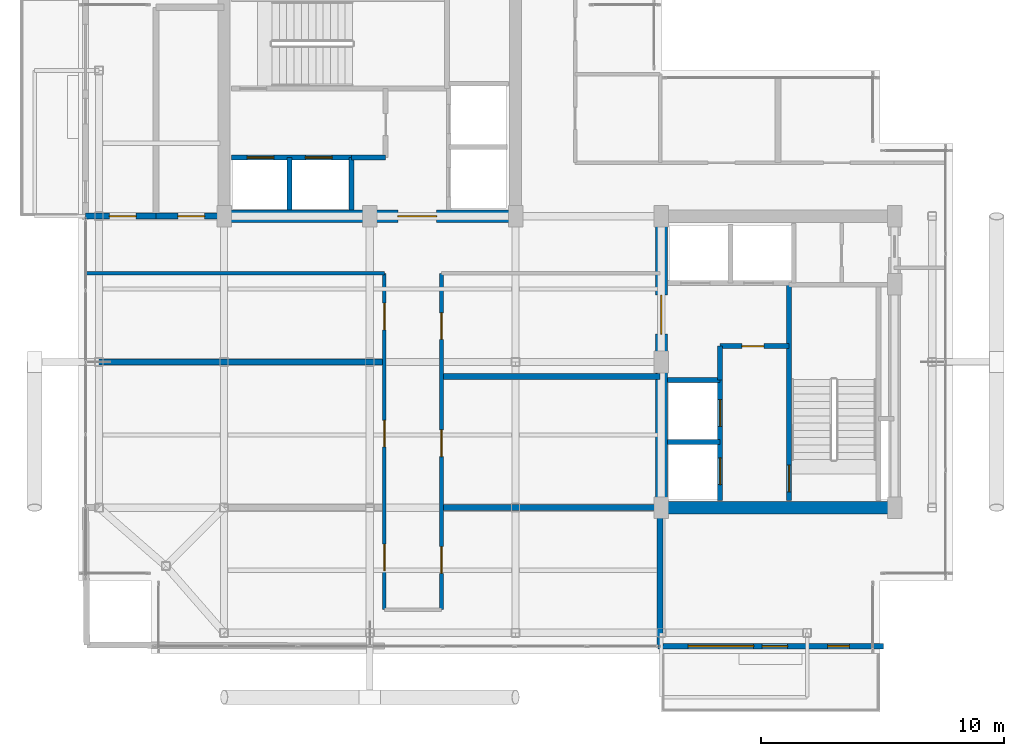
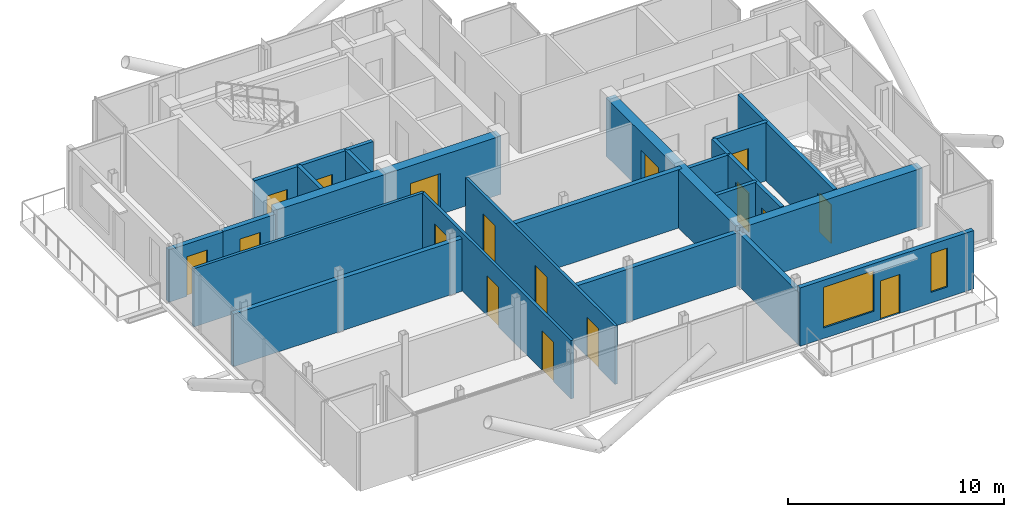
# One storey, part 14 of 18: 23 walls, 17 doors, 2 windows, 19 openings.
"""IFC4 building model written with IfcOpenShell, lengths in metres."""

from ifc_helpers import new_model, si_unit, direction, frame, frame_2d, origin, place, context, subcontext, project, spatial, rectangle, extrude, material, layer, layer_set, type_object, element, fill, save


model = new_model("IFC4")

# Units and contexts
model_context = context("Model", 3, precision=1e-05, world=origin(), true_north=direction((0.0, 1.0)))
body_context = subcontext(model_context, "Body", "Model", "MODEL_VIEW")
ifc_project = project(units=[si_unit("LENGTHUNIT", "METRE"), si_unit("AREAUNIT", "SQUARE_METRE"), si_unit("VOLUMEUNIT", "CUBIC_METRE"), si_unit("PLANEANGLEUNIT", "RADIAN"), si_unit("MASSUNIT", "GRAM", prefix="KILO"), si_unit("THERMODYNAMICTEMPERATUREUNIT", "KELVIN"), si_unit("POWERUNIT", "WATT")], contexts=[model_context])

# Site, building, storey
site_placement = place(None, origin())
site = spatial("IfcSite", under=ifc_project, at=site_placement, CompositionType="ELEMENT")
building_placement = place(site_placement, origin())
building = spatial("IfcBuilding", under=site, at=building_placement, Name="Svarakhadi Broadcast Tower", CompositionType="ELEMENT")
storey_placement = place(building_placement, frame((0.0, 0.0, 288.699951171875)))
storey = spatial("IfcBuildingStorey", under=building, at=storey_placement, Name="L73", CompositionType="ELEMENT", Elevation=288.699951171875)

# Walls
ifc_material_1 = material(Name="Double-Stud Acoustic Studio Partition STC-62", Category="gypsum")
ifc_layer_1 = layer(ifc_material_1, 0.25)
ifc_layer_set_1 = layer_set([ifc_layer_1], Name="Double-Stud Acoustic Studio Partition STC-62")
wall_type_1 = type_object("IfcWallType", Name="Wall_Acoust_250", PredefinedType="PARTITIONING", material=ifc_layer_set_1)
wall_1_placement = place(storey_placement, frame((0.300048828125, 12.0, 0.0), z_axis=(0.0, 0.0, 1.0), x_axis=(1.0, 0.0, 0.0)))
element("IfcWall", 1, at=wall_1_placement, inside=storey, type_object=wall_type_1, Name="L73 International Counsel Office Wall", PredefinedType="PARTITIONING", context=body_context, shape_type="SweptSolid", body=[
    extrude(rectangle(XDim=12.300048828125, YDim=0.25, at=frame_2d((6.14990234375, 0.0))), origin(), (0.0, 0.0, 1.0), 2.967041015625),
])
wall_2_placement = place(storey_placement, frame((14.949951171875, 6.0, 0.0), z_axis=(0.0, 0.0, 1.0), x_axis=(1.0, 0.0, 0.0)))
element("IfcWall", 2, at=wall_2_placement, inside=storey, type_object=wall_type_1, Name="L73 Summit State Banquet Dining Hall Wall", PredefinedType="PARTITIONING", context=body_context, shape_type="SweptSolid", body=[
    extrude(rectangle(XDim=9.0, YDim=0.25, at=frame_2d((4.5, 0.0))), origin(), (0.0, 0.0, 1.0), 2.991943359375),
])
wall_3_placement = place(storey_placement, frame((23.949951171875, 0.300048828125, 0.0), z_axis=(0.0, 0.0, 1.0), x_axis=(0.0, 1.0, 0.0)))
element("IfcWall", 3, at=wall_3_placement, inside=storey, type_object=wall_type_1, Name="L73 Summit State Banquet Dining Hall Wall", PredefinedType="PARTITIONING", context=body_context, shape_type="SweptSolid", body=[
    extrude(rectangle(XDim=5.699951171875, YDim=0.25, at=frame_2d((2.85009765625, 0.0))), origin(), (0.0, 0.0, 1.0), 2.991943359375),
])
wall_4_placement = place(storey_placement, frame((14.949951171875, 11.39990234375, 0.0), z_axis=(0.0, 0.0, 1.0), x_axis=(1.0, 0.0, 0.0)))
element("IfcWall", 4, at=wall_4_placement, inside=storey, type_object=wall_type_1, Name="L73 Summit Culinary Preparation Kitchen Wall", PredefinedType="PARTITIONING", context=body_context, shape_type="SweptSolid", body=[
    extrude(rectangle(XDim=9.0, YDim=0.25, at=frame_2d((4.5, 0.0))), origin(), (0.0, 0.0, 1.0), 3.300048828125),
])

# Wall, opening, door
wall_5_placement = place(storey_placement, frame((0.300048828125, 18.0, 0.0), z_axis=(0.0, 0.0, 1.0), x_axis=(1.0, 0.0, 0.0)))
wall_5 = element("IfcWall", 5, at=wall_5_placement, inside=storey, type_object=wall_type_1, Name="L73 State Reception Salon Wall", PredefinedType="PARTITIONING", context=body_context, shape_type="SweptSolid", body=[
    extrude(rectangle(XDim=2.89990234375, YDim=0.25, at=frame_2d((1.449951171875, 0.0))), origin(), (0.0, 0.0, 1.0), 2.967041015625),
])
opening_1_placement = place(wall_5_placement, frame((0.97509765625, 0.0, 0.0)))
opening_1 = element("IfcOpeningElement", 6, at=opening_1_placement, cuts=wall_5, Name="Opening D-11", PredefinedType="OPENING", context=body_context, shape_type="SweptSolid", body=[
    extrude(rectangle(XDim=1.10009765625, YDim=2.25, at=frame_2d((0.550048828125, 1.125))), frame((0.0, 0.135009765625, 0.0), z_axis=(0.0, -1.0, 0.0), x_axis=(1.0, 0.0, 0.0)), (0.0, 0.0, 1.0), 0.27001953125),
])
ifc_material_2 = material(Name="Solid-Core Teak Veneer Acoustic Timber Leaf", Category="wood")
door_type_1 = type_object("IfcDoorType", Name="Door_Acoust_D11", OperationType="SINGLE_SWING_RIGHT", PredefinedType="DOOR", material=ifc_material_2)
door_1_placement = place(opening_1_placement, origin())
door_1 = element("IfcDoor", 7, at=door_1_placement, inside=storey, type_object=door_type_1, Name="L73 State Reception Salon Door", OperationType="SINGLE_SWING_RIGHT", OverallHeight=2.25, OverallWidth=1.10009765625, PredefinedType="DOOR", context=body_context, shape_type="SweptSolid", body=[
    extrude(rectangle(XDim=1.10009765625, YDim=2.25, at=frame_2d((0.550048828125, 1.125))), frame((0.0, 0.02490234375, 0.0), z_axis=(0.0, -1.0, 0.0), x_axis=(1.0, 0.0, 0.0)), (0.0, 0.0, 1.0), 0.050048828125),
])
fill(opening_1, door_1)

wall_6_placement = place(storey_placement, frame((3.199951171875, 18.0, 0.0), z_axis=(0.0, 0.0, 1.0), x_axis=(1.0, 0.0, 0.0)))
wall_6 = element("IfcWall", 8, at=wall_6_placement, inside=storey, type_object=wall_type_1, Name="L73 Protocol Registry Office Wall", PredefinedType="PARTITIONING", context=body_context, shape_type="SweptSolid", body=[
    extrude(rectangle(XDim=2.800048828125, YDim=0.25, at=frame_2d((1.39990234375, 0.0))), origin(), (0.0, 0.0, 1.0), 2.991943359375),
])
opening_2_placement = place(wall_6_placement, frame((0.89990234375, 0.0, 0.0)))
opening_2 = element("IfcOpeningElement", 9, at=opening_2_placement, cuts=wall_6, Name="Opening D-10", PredefinedType="OPENING", context=body_context, shape_type="SweptSolid", body=[
    extrude(rectangle(XDim=1.10009765625, YDim=2.25, at=frame_2d((0.550048828125, 1.125))), frame((0.0, 0.135009765625, 0.0), z_axis=(0.0, -1.0, 0.0), x_axis=(1.0, 0.0, 0.0)), (0.0, 0.0, 1.0), 0.27001953125),
])
door_type_2 = type_object("IfcDoorType", Name="Door_Acoust_D10", OperationType="SINGLE_SWING_LEFT", PredefinedType="DOOR", material=ifc_material_2)
door_2_placement = place(opening_2_placement, origin())
door_2 = element("IfcDoor", 10, at=door_2_placement, inside=storey, type_object=door_type_2, Name="L73 Protocol Registry Office Door", OperationType="SINGLE_SWING_LEFT", OverallHeight=2.25, OverallWidth=1.10009765625, PredefinedType="DOOR", context=body_context, shape_type="SweptSolid", body=[
    extrude(rectangle(XDim=1.10009765625, YDim=2.25, at=frame_2d((0.550048828125, 1.125))), frame((0.0, 0.02490234375, 0.0), z_axis=(0.0, -1.0, 0.0), x_axis=(1.0, 0.0, 0.0)), (0.0, 0.0, 1.0), 0.050048828125),
])
fill(opening_2, door_2)

# Wall, openings, door, windows
ifc_material_3 = material(Name="Concrete C40/50 (IS 456 M50)", Category="concrete")
ifc_layer_2 = layer(ifc_material_3, 0.239990234375)
ifc_layer_set_2 = layer_set([ifc_layer_2], Name="Concrete C40/50 (IS 456 M50)")
wall_type_2 = type_object("IfcWallType", Name="Wall_Ext_240", PredefinedType="SOLIDWALL", material=ifc_layer_set_2)
wall_7_placement = place(storey_placement, frame((33.14501953125, 0.300048828125, 0.0), z_axis=(0.0, 0.0, 1.0), x_axis=(-1.0, 0.0, 0.0)))
wall_7 = element("IfcWall", 11, at=wall_7_placement, inside=storey, type_object=wall_type_2, Name="L73 South Tree Balcony Spandrel Wall", PredefinedType="SOLIDWALL", context=body_context, shape_type="SweptSolid", body=[
    extrude(rectangle(XDim=9.2900390625, YDim=0.239990234375, at=frame_2d((4.64501953125, 0.0))), origin(), (0.0, 0.0, 1.0), 3.300048828125),
])
opening_3_placement = place(wall_7_placement, frame((3.945068359375, 0.0, 0.0)))
opening_3 = element("IfcOpeningElement", 12, at=opening_3_placement, cuts=wall_7, Name="Opening ED-05", PredefinedType="OPENING", context=body_context, shape_type="SweptSolid", body=[
    extrude(rectangle(XDim=1.050048828125, YDim=2.199951171875, at=frame_2d((0.52490234375, 1.10009765625))), frame((0.0, 0.1298828125, 0.0), z_axis=(0.0, -1.0, 0.0), x_axis=(1.0, 0.0, 0.0)), (0.0, 0.0, 1.0), 0.260009765625),
])
opening_4_placement = place(wall_7_placement, frame((5.344970703125, 0.0, 0.60009765625)))
opening_4 = element("IfcOpeningElement", 13, at=opening_4_placement, cuts=wall_7, Name="Opening WN-07", PredefinedType="OPENING", context=body_context, shape_type="SweptSolid", body=[
    extrude(rectangle(XDim=2.699951171875, YDim=2.300048828125, at=frame_2d((1.35009765625, 1.14990234375))), frame((0.0, 0.1298828125, 0.0), z_axis=(0.0, -1.0, 0.0), x_axis=(1.0, 0.0, 0.0)), (0.0, 0.0, 1.0), 0.260009765625),
])
opening_5_placement = place(wall_7_placement, frame((1.39990234375, 0.0, 0.60009765625)))
opening_5 = element("IfcOpeningElement", 14, at=opening_5_placement, cuts=wall_7, Name="Opening WN-04", PredefinedType="OPENING", context=body_context, shape_type="SweptSolid", body=[
    extrude(rectangle(XDim=0.89990234375, YDim=2.199951171875, at=frame_2d((0.449951171875, 1.10009765625))), frame((0.0, 0.1298828125, 0.0), z_axis=(0.0, -1.0, 0.0), x_axis=(1.0, 0.0, 0.0)), (0.0, 0.0, 1.0), 0.260009765625),
])
ifc_material_4 = material(Name="Anodised Bronze Aluminium AA 6063-T6", Category="aluminium")
door_type_3 = type_object("IfcDoorType", Name="Door_Ext_ED05", OperationType="SINGLE_SWING_LEFT", PredefinedType="DOOR", material=ifc_material_4)
door_3_placement = place(opening_3_placement, origin())
door_3 = element("IfcDoor", 15, at=door_3_placement, inside=storey, type_object=door_type_3, Name="L73 South Tree Balcony Door", OperationType="SINGLE_SWING_LEFT", OverallHeight=2.199951171875, OverallWidth=1.050048828125, PredefinedType="DOOR", context=body_context, shape_type="SweptSolid", body=[
    extrude(rectangle(XDim=1.050048828125, YDim=2.199951171875, at=frame_2d((0.52490234375, 1.10009765625))), frame((0.0, 0.02490234375, 0.0), z_axis=(0.0, -1.0, 0.0), x_axis=(1.0, 0.0, 0.0)), (0.0, 0.0, 1.0), 0.050048828125),
])
fill(opening_3, door_3)
ifc_material_5 = material(Name="Double Low-E Laminated Acoustic Glass IGU 36 mm", Category="glass")
window_type_1 = type_object("IfcWindowType", Name="Win_Resi_WN07", PartitioningType="SINGLE_PANEL", PredefinedType="WINDOW", material=ifc_material_5)
window_1_placement = place(opening_4_placement, origin())
window_1 = element("IfcWindow", 16, at=window_1_placement, inside=storey, type_object=window_type_1, Name="L73 South Tree Balcony Window", OverallHeight=2.300048828125, OverallWidth=2.699951171875, PartitioningType="SINGLE_PANEL", PredefinedType="WINDOW", context=body_context, shape_type="SweptSolid", body=[
    extrude(rectangle(XDim=2.699951171875, YDim=2.300048828125, at=frame_2d((1.35009765625, 1.14990234375))), frame((0.0, 0.030029296875, 0.0), z_axis=(0.0, -1.0, 0.0), x_axis=(1.0, 0.0, 0.0)), (0.0, 0.0, 1.0), 0.06005859375),
])
fill(opening_4, window_1)
window_type_2 = type_object("IfcWindowType", Name="Win_Slot_WN04", PartitioningType="SINGLE_PANEL", PredefinedType="WINDOW", material=ifc_material_5)
window_2_placement = place(opening_5_placement, origin())
window_2 = element("IfcWindow", 17, at=window_2_placement, inside=storey, type_object=window_type_2, Name="L73 South Primary Bedroom Slot Window", OverallHeight=2.199951171875, OverallWidth=0.89990234375, PartitioningType="SINGLE_PANEL", PredefinedType="WINDOW", context=body_context, shape_type="SweptSolid", body=[
    extrude(rectangle(XDim=0.89990234375, YDim=2.199951171875, at=frame_2d((0.449951171875, 1.10009765625))), frame((0.0, 0.030029296875, 0.0), z_axis=(0.0, -1.0, 0.0), x_axis=(1.0, 0.0, 0.0)), (0.0, 0.0, 1.0), 0.06005859375),
])
fill(opening_5, window_2)

# Wall, openings, doors
ifc_material_6 = material(Name="Autoclaved Aerated Concrete Blockwork 150 mm", Category="masonry")
ifc_layer_3 = layer(ifc_material_6, 0.14990234375)
ifc_layer_set_3 = layer_set([ifc_layer_3], Name="Autoclaved Aerated Concrete Blockwork 150 mm")
wall_type_3 = type_object("IfcWallType", Name="Wall_Part_150", PredefinedType="PARTITIONING", material=ifc_layer_set_3)
wall_8_placement = place(storey_placement, frame((12.60009765625, 1.800048828125, 0.0), z_axis=(0.0, 0.0, 1.0), x_axis=(0.0, 1.0, 0.0)))
wall_8 = element("IfcWall", 18, at=wall_8_placement, inside=storey, type_object=wall_type_3, Name="L73 Upper Tower Concourse Wall", PredefinedType="PARTITIONING", context=body_context, shape_type="SweptSolid", body=[
    extrude(rectangle(XDim=13.849853515625, YDim=0.14990234375, at=frame_2d((6.9248046875, 0.0))), origin(), (0.0, 0.0, 1.0), 3.300048828125),
])
opening_6_placement = place(wall_8_placement, frame((1.60009765625, 0.0, 0.0)))
opening_6 = element("IfcOpeningElement", 19, at=opening_6_placement, cuts=wall_8, Name="Opening D-10", PredefinedType="OPENING", context=body_context, shape_type="SweptSolid", body=[
    extrude(rectangle(XDim=1.10009765625, YDim=2.25, at=frame_2d((0.550048828125, 1.125))), frame((0.0, 0.0849609375, 0.0), z_axis=(0.0, -1.0, 0.0), x_axis=(1.0, 0.0, 0.0)), (0.0, 0.0, 1.0), 0.169921875),
])
opening_7_placement = place(wall_8_placement, frame((6.699951171875, 0.0, 0.0)))
opening_7 = element("IfcOpeningElement", 20, at=opening_7_placement, cuts=wall_8, Name="Opening D-11", PredefinedType="OPENING", context=body_context, shape_type="SweptSolid", body=[
    extrude(rectangle(XDim=1.10009765625, YDim=2.25, at=frame_2d((0.550048828125, 1.125))), frame((0.0, 0.0849609375, 0.0), z_axis=(0.0, -1.0, 0.0), x_axis=(1.0, 0.0, 0.0)), (0.0, 0.0, 1.0), 0.169921875),
])
opening_8_placement = place(wall_8_placement, frame((11.52490234375, 0.0, 0.0)))
opening_8 = element("IfcOpeningElement", 21, at=opening_8_placement, cuts=wall_8, Name="Opening D-11", PredefinedType="OPENING", context=body_context, shape_type="SweptSolid", body=[
    extrude(rectangle(XDim=1.10009765625, YDim=2.25, at=frame_2d((0.550048828125, 1.125))), frame((0.0, 0.0849609375, 0.0), z_axis=(0.0, -1.0, 0.0), x_axis=(1.0, 0.0, 0.0)), (0.0, 0.0, 1.0), 0.169921875),
])
door_4_placement = place(opening_6_placement, origin())
door_4 = element("IfcDoor", 22, at=door_4_placement, inside=storey, type_object=door_type_2, Name="L73 Chairman Diplomatic Chambers Door", OperationType="SINGLE_SWING_LEFT", OverallHeight=2.25, OverallWidth=1.10009765625, PredefinedType="DOOR", context=body_context, shape_type="SweptSolid", body=[
    extrude(rectangle(XDim=1.10009765625, YDim=2.25, at=frame_2d((0.550048828125, 1.125))), frame((0.0, 0.02490234375, 0.0), z_axis=(0.0, -1.0, 0.0), x_axis=(1.0, 0.0, 0.0)), (0.0, 0.0, 1.0), 0.050048828125),
])
fill(opening_6, door_4)
door_5_placement = place(opening_7_placement, origin())
door_5 = element("IfcDoor", 23, at=door_5_placement, inside=storey, type_object=door_type_1, Name="L73 International Counsel Office Door", OperationType="SINGLE_SWING_RIGHT", OverallHeight=2.25, OverallWidth=1.10009765625, PredefinedType="DOOR", context=body_context, shape_type="SweptSolid", body=[
    extrude(rectangle(XDim=1.10009765625, YDim=2.25, at=frame_2d((0.550048828125, 1.125))), frame((0.0, 0.02490234375, 0.0), z_axis=(0.0, -1.0, 0.0), x_axis=(1.0, 0.0, 0.0)), (0.0, 0.0, 1.0), 0.050048828125),
])
fill(opening_7, door_5)
door_6_placement = place(opening_8_placement, origin())
door_6 = element("IfcDoor", 24, at=door_6_placement, inside=storey, type_object=door_type_1, Name="L73 Protocol Secretariat Office Door", OperationType="SINGLE_SWING_RIGHT", OverallHeight=2.25, OverallWidth=1.10009765625, PredefinedType="DOOR", context=body_context, shape_type="SweptSolid", body=[
    extrude(rectangle(XDim=1.10009765625, YDim=2.25, at=frame_2d((0.550048828125, 1.125))), frame((0.0, 0.02490234375, 0.0), z_axis=(0.0, -1.0, 0.0), x_axis=(1.0, 0.0, 0.0)), (0.0, 0.0, 1.0), 0.050048828125),
])
fill(opening_8, door_6)

# Wall
wall_9_placement = place(storey_placement, frame((12.60009765625, 15.64990234375, 0.0), z_axis=(0.0, 0.0, 1.0), x_axis=(-1.0, 0.0, 0.0)))
element("IfcWall", 25, at=wall_9_placement, inside=storey, type_object=wall_type_3, Name="L73 Upper Tower Concourse Wall", PredefinedType="PARTITIONING", context=body_context, shape_type="SweptSolid", body=[
    extrude(rectangle(XDim=12.300048828125, YDim=0.14990234375, at=frame_2d((6.14990234375, 0.0))), origin(), (0.0, 0.0, 1.0), 3.300048828125),
])

# Wall, openings, doors
wall_10_placement = place(storey_placement, frame((14.949951171875, 15.64990234375, 0.0), z_axis=(0.0, 0.0, 1.0), x_axis=(0.0, -1.0, 0.0)))
wall_10 = element("IfcWall", 26, at=wall_10_placement, inside=storey, type_object=wall_type_3, Name="L73 Upper Tower Concourse Wall", PredefinedType="PARTITIONING", context=body_context, shape_type="SweptSolid", body=[
    extrude(rectangle(XDim=13.849853515625, YDim=0.14990234375, at=frame_2d((6.9248046875, 0.0))), origin(), (0.0, 0.0, 1.0), 3.300048828125),
])
opening_9_placement = place(wall_10_placement, frame((11.25, 0.0, 0.0)))
opening_9 = element("IfcOpeningElement", 27, at=opening_9_placement, cuts=wall_10, Name="Opening D-11", PredefinedType="OPENING", context=body_context, shape_type="SweptSolid", body=[
    extrude(rectangle(XDim=1.10009765625, YDim=2.25, at=frame_2d((0.550048828125, 1.125))), frame((0.0, 0.0849609375, 0.0), z_axis=(0.0, -1.0, 0.0), x_axis=(1.0, 0.0, 0.0)), (0.0, 0.0, 1.0), 0.169921875),
])
opening_10_placement = place(wall_10_placement, frame((6.449951171875, 0.0, 0.0)))
opening_10 = element("IfcOpeningElement", 28, at=opening_10_placement, cuts=wall_10, Name="Opening D-10", PredefinedType="OPENING", context=body_context, shape_type="SweptSolid", body=[
    extrude(rectangle(XDim=1.10009765625, YDim=2.25, at=frame_2d((0.550048828125, 1.125))), frame((0.0, 0.0849609375, 0.0), z_axis=(0.0, -1.0, 0.0), x_axis=(1.0, 0.0, 0.0)), (0.0, 0.0, 1.0), 0.169921875),
])
opening_11_placement = place(wall_10_placement, frame((1.625, 0.0, 0.0)))
opening_11 = element("IfcOpeningElement", 29, at=opening_11_placement, cuts=wall_10, Name="Opening D-11", PredefinedType="OPENING", context=body_context, shape_type="SweptSolid", body=[
    extrude(rectangle(XDim=1.10009765625, YDim=2.25, at=frame_2d((0.550048828125, 1.125))), frame((0.0, 0.0849609375, 0.0), z_axis=(0.0, -1.0, 0.0), x_axis=(1.0, 0.0, 0.0)), (0.0, 0.0, 1.0), 0.169921875),
])
door_7_placement = place(opening_10_placement, origin())
door_7 = element("IfcDoor", 30, at=door_7_placement, inside=storey, type_object=door_type_2, Name="L73 Summit Culinary Preparation Kitchen Door", OperationType="SINGLE_SWING_LEFT", OverallHeight=2.25, OverallWidth=1.10009765625, PredefinedType="DOOR", context=body_context, shape_type="SweptSolid", body=[
    extrude(rectangle(XDim=1.10009765625, YDim=2.25, at=frame_2d((0.550048828125, 1.125))), frame((0.0, 0.02490234375, 0.0), z_axis=(0.0, -1.0, 0.0), x_axis=(1.0, 0.0, 0.0)), (0.0, 0.0, 1.0), 0.050048828125),
])
fill(opening_10, door_7)
door_8_placement = place(opening_9_placement, origin())
door_8 = element("IfcDoor", 31, at=door_8_placement, inside=storey, type_object=door_type_1, Name="L73 Summit State Banquet Dining Hall Door", OperationType="SINGLE_SWING_RIGHT", OverallHeight=2.25, OverallWidth=1.10009765625, PredefinedType="DOOR", context=body_context, shape_type="SweptSolid", body=[
    extrude(rectangle(XDim=1.10009765625, YDim=2.25, at=frame_2d((0.550048828125, 1.125))), frame((0.0, 0.02490234375, 0.0), z_axis=(0.0, -1.0, 0.0), x_axis=(1.0, 0.0, 0.0)), (0.0, 0.0, 1.0), 0.050048828125),
])
fill(opening_9, door_8)
door_9_placement = place(opening_11_placement, origin())
door_9 = element("IfcDoor", 32, at=door_9_placement, inside=storey, type_object=door_type_1, Name="L73 Sommelier Cold Pantry Door", OperationType="SINGLE_SWING_RIGHT", OverallHeight=2.25, OverallWidth=1.10009765625, PredefinedType="DOOR", context=body_context, shape_type="SweptSolid", body=[
    extrude(rectangle(XDim=1.10009765625, YDim=2.25, at=frame_2d((0.550048828125, 1.125))), frame((0.0, 0.02490234375, 0.0), z_axis=(0.0, -1.0, 0.0), x_axis=(1.0, 0.0, 0.0)), (0.0, 0.0, 1.0), 0.050048828125),
])
fill(opening_11, door_9)

# Wall, opening, door
ifc_material_7 = material(Name="Concrete C50/60 (IS 456 M60)", Category="concrete")
ifc_layer_4 = layer(ifc_material_7, 0.199951171875)
ifc_layer_set_4 = layer_set([ifc_layer_4], Name="Concrete C50/60 (IS 456 M60)")
wall_type_4 = type_object("IfcWallType", Name="Wall_Shear_200", PredefinedType="SHEAR", material=ifc_layer_set_4)
wall_11_placement = place(storey_placement, frame((29.260009765625, 6.300048828125, 0.0), z_axis=(0.0, 0.0, 1.0), x_axis=(0.0, 1.0, 0.0)))
wall_11 = element("IfcWall", 33, at=wall_11_placement, inside=storey, type_object=wall_type_4, Name="L73 Stair ST-02 West RC Shaft Wall", PredefinedType="SHEAR", context=body_context, shape_type="SweptSolid", body=[
    extrude(rectangle(XDim=8.8798828125, YDim=0.199951171875, at=frame_2d((4.43994140625, 0.0))), origin(), (0.0, 0.0, 1.0), 3.300048828125),
])
opening_12_placement = place(wall_11_placement, frame((0.35009765625, 0.0, 0.0)))
opening_12 = element("IfcOpeningElement", 34, at=opening_12_placement, cuts=wall_11, Name="Opening D-02", PredefinedType="OPENING", context=body_context, shape_type="SweptSolid", body=[
    extrude(rectangle(XDim=1.10009765625, YDim=2.199951171875, at=frame_2d((0.550048828125, 1.10009765625))), frame((0.0, 0.10986328125, 0.0), z_axis=(0.0, -1.0, 0.0), x_axis=(1.0, 0.0, 0.0)), (0.0, 0.0, 1.0), 0.219970703125),
])
ifc_material_8 = material(Name="Galvanised Powder-Coated Fire-Rated Steel Leaf", Category="steel")
door_type_4 = type_object("IfcDoorType", Name="Door_Stair_D02", OperationType="SINGLE_SWING_RIGHT", PredefinedType="DOOR", material=ifc_material_8)
door_10_placement = place(opening_12_placement, origin())
door_10 = element("IfcDoor", 35, at=door_10_placement, inside=storey, type_object=door_type_4, Name="L73 Protected Exit Stair ST-02 Fire Door", OperationType="SINGLE_SWING_RIGHT", OverallHeight=2.199951171875, OverallWidth=1.10009765625, PredefinedType="DOOR", context=body_context, shape_type="SweptSolid", body=[
    extrude(rectangle(XDim=1.10009765625, YDim=2.199951171875, at=frame_2d((0.550048828125, 1.10009765625))), frame((0.0, 0.02490234375, 0.0), z_axis=(0.0, -1.0, 0.0), x_axis=(1.0, 0.0, 0.0)), (0.0, 0.0, 1.0), 0.050048828125),
])
fill(opening_12, door_10)

# Wall, openings, doors
wall_12_placement = place(storey_placement, frame((6.300048828125, 20.419921875, 0.0), z_axis=(0.0, 0.0, 1.0), x_axis=(1.0, 0.0, 0.0)))
wall_12 = element("IfcWall", 36, at=wall_12_placement, inside=storey, type_object=wall_type_4, Name="L73 Firefighting Lift LF-01/02 Shaft Wall", PredefinedType="SHEAR", context=body_context, shape_type="SweptSolid", body=[
    extrude(rectangle(XDim=4.949951171875, YDim=0.199951171875, at=frame_2d((2.47509765625, 0.0))), origin(), (0.0, 0.0, 1.0), 3.300048828125),
])
opening_13_placement = place(wall_12_placement, frame((0.64990234375, 0.0, 0.0)))
opening_13 = element("IfcOpeningElement", 37, at=opening_13_placement, cuts=wall_12, Name="Opening LD-01", PredefinedType="OPENING", context=body_context, shape_type="SweptSolid", body=[
    extrude(rectangle(XDim=1.10009765625, YDim=2.199951171875, at=frame_2d((0.550048828125, 1.10009765625))), frame((0.0, 0.10986328125, 0.0), z_axis=(0.0, -1.0, 0.0), x_axis=(1.0, 0.0, 0.0)), (0.0, 0.0, 1.0), 0.219970703125),
])
opening_14_placement = place(wall_12_placement, frame((3.050048828125, 0.0, 0.0)))
opening_14 = element("IfcOpeningElement", 38, at=opening_14_placement, cuts=wall_12, Name="Opening LD-01", PredefinedType="OPENING", context=body_context, shape_type="SweptSolid", body=[
    extrude(rectangle(XDim=1.10009765625, YDim=2.199951171875, at=frame_2d((0.550048828125, 1.10009765625))), frame((0.0, 0.10986328125, 0.0), z_axis=(0.0, -1.0, 0.0), x_axis=(1.0, 0.0, 0.0)), (0.0, 0.0, 1.0), 0.219970703125),
])
door_type_5 = type_object("IfcDoorType", Name="Door_Lift_LD01", OperationType="SLIDING_TO_LEFT", PredefinedType="DOOR", material=ifc_material_8)
door_11_placement = place(opening_13_placement, origin())
door_11 = element("IfcDoor", 39, at=door_11_placement, inside=storey, type_object=door_type_5, Name="L73 Firefighting Lift LF-01 Landing Door", OperationType="SLIDING_TO_LEFT", OverallHeight=2.199951171875, OverallWidth=1.10009765625, PredefinedType="DOOR", context=body_context, shape_type="SweptSolid", body=[
    extrude(rectangle(XDim=1.10009765625, YDim=2.199951171875, at=frame_2d((0.550048828125, 1.10009765625))), frame((0.0, 0.02490234375, 0.0), z_axis=(0.0, -1.0, 0.0), x_axis=(1.0, 0.0, 0.0)), (0.0, 0.0, 1.0), 0.050048828125),
])
fill(opening_13, door_11)
door_12_placement = place(opening_14_placement, origin())
door_12 = element("IfcDoor", 40, at=door_12_placement, inside=storey, type_object=door_type_5, Name="L73 Firefighting Lift LF-02 Landing Door", OperationType="SLIDING_TO_LEFT", OverallHeight=2.199951171875, OverallWidth=1.10009765625, PredefinedType="DOOR", context=body_context, shape_type="SweptSolid", body=[
    extrude(rectangle(XDim=1.10009765625, YDim=2.199951171875, at=frame_2d((0.550048828125, 1.10009765625))), frame((0.0, 0.02490234375, 0.0), z_axis=(0.0, -1.0, 0.0), x_axis=(1.0, 0.0, 0.0)), (0.0, 0.0, 1.0), 0.050048828125),
])
fill(opening_14, door_12)

# Walls
for number, where, z_axis, x_axis, name in (
    (41, (8.699951171875, 18.25, 0.0), (0.0, 0.0, 1.0), (0.0, 1.0, 0.0), "L73 Firefighting Lift LF-01/02 Divider Wall"),
    (42, (11.25, 18.25, 0.0), (0.0, 0.0, 1.0), (0.0, 1.0, 0.0), "L73 Firefighting Lift LF-02 East Wall"),
):
    element("IfcWall", number, at=place(storey_placement, frame(where, z_axis=z_axis, x_axis=x_axis)), inside=storey, type_object=wall_type_4, Name=name, PredefinedType="SHEAR", context=body_context, shape_type="SweptSolid", body=[
        extrude(rectangle(XDim=2.169921875, YDim=0.199951171875, at=frame_2d((1.0849609375, 0.0))), origin(), (0.0, 0.0, 1.0), 3.300048828125),
    ])
wall_13_placement = place(storey_placement, frame((11.25, 20.419921875, 0.0), z_axis=(0.0, 0.0, 1.0), x_axis=(1.0, 0.0, 0.0)))
element("IfcWall", 43, at=wall_13_placement, inside=storey, type_object=wall_type_4, Name="L73 West Firefighting Lobby South Wall", PredefinedType="SHEAR", context=body_context, shape_type="SweptSolid", body=[
    extrude(rectangle(XDim=1.39990234375, YDim=0.199951171875, at=frame_2d((0.699951171875, 0.0))), origin(), (0.0, 0.0, 1.0), 3.300048828125),
])

# Wall, openings, doors
wall_14_placement = place(storey_placement, frame((26.419921875, 6.300048828125, 0.0), z_axis=(0.0, 0.0, 1.0), x_axis=(0.0, 1.0, 0.0)))
wall_14 = element("IfcWall", 44, at=wall_14_placement, inside=storey, type_object=wall_type_4, Name="L73 Firefighting Lift LF-03/04 Shaft Wall", PredefinedType="SHEAR", context=body_context, shape_type="SweptSolid", body=[
    extrude(rectangle(XDim=4.949951171875, YDim=0.199951171875, at=frame_2d((2.47509765625, 0.0))), origin(), (0.0, 0.0, 1.0), 3.300048828125),
])
opening_15_placement = place(wall_14_placement, frame((0.64990234375, 0.0, 0.0)))
opening_15 = element("IfcOpeningElement", 45, at=opening_15_placement, cuts=wall_14, Name="Opening LD-01", PredefinedType="OPENING", context=body_context, shape_type="SweptSolid", body=[
    extrude(rectangle(XDim=1.10009765625, YDim=2.199951171875, at=frame_2d((0.550048828125, 1.10009765625))), frame((0.0, 0.10986328125, 0.0), z_axis=(0.0, -1.0, 0.0), x_axis=(1.0, 0.0, 0.0)), (0.0, 0.0, 1.0), 0.219970703125),
])
opening_16_placement = place(wall_14_placement, frame((3.050048828125, 0.0, 0.0)))
opening_16 = element("IfcOpeningElement", 46, at=opening_16_placement, cuts=wall_14, Name="Opening LD-01", PredefinedType="OPENING", context=body_context, shape_type="SweptSolid", body=[
    extrude(rectangle(XDim=1.10009765625, YDim=2.199951171875, at=frame_2d((0.550048828125, 1.10009765625))), frame((0.0, 0.10986328125, 0.0), z_axis=(0.0, -1.0, 0.0), x_axis=(1.0, 0.0, 0.0)), (0.0, 0.0, 1.0), 0.219970703125),
])
door_13_placement = place(opening_15_placement, origin())
door_13 = element("IfcDoor", 47, at=door_13_placement, inside=storey, type_object=door_type_5, Name="L73 Firefighting Lift LF-03 Landing Door", OperationType="SLIDING_TO_LEFT", OverallHeight=2.199951171875, OverallWidth=1.10009765625, PredefinedType="DOOR", context=body_context, shape_type="SweptSolid", body=[
    extrude(rectangle(XDim=1.10009765625, YDim=2.199951171875, at=frame_2d((0.550048828125, 1.10009765625))), frame((0.0, 0.02490234375, 0.0), z_axis=(0.0, -1.0, 0.0), x_axis=(1.0, 0.0, 0.0)), (0.0, 0.0, 1.0), 0.050048828125),
])
fill(opening_15, door_13)
door_14_placement = place(opening_16_placement, origin())
door_14 = element("IfcDoor", 48, at=door_14_placement, inside=storey, type_object=door_type_5, Name="L73 Firefighting Lift LF-04 Landing Door", OperationType="SLIDING_TO_LEFT", OverallHeight=2.199951171875, OverallWidth=1.10009765625, PredefinedType="DOOR", context=body_context, shape_type="SweptSolid", body=[
    extrude(rectangle(XDim=1.10009765625, YDim=2.199951171875, at=frame_2d((0.550048828125, 1.10009765625))), frame((0.0, 0.02490234375, 0.0), z_axis=(0.0, -1.0, 0.0), x_axis=(1.0, 0.0, 0.0)), (0.0, 0.0, 1.0), 0.050048828125),
])
fill(opening_16, door_14)

# Walls
for number, where, z_axis, x_axis, name in (
    (49, (24.25, 8.699951171875, 0.0), (0.0, 0.0, 1.0), (1.0, 0.0, 0.0), "L73 Firefighting Lift LF-03/04 Divider Wall"),
    (50, (24.25, 11.25, 0.0), (0.0, 0.0, 1.0), (1.0, 0.0, 0.0), "L73 Firefighting Lift LF-04 North Wall"),
):
    element("IfcWall", number, at=place(storey_placement, frame(where, z_axis=z_axis, x_axis=x_axis)), inside=storey, type_object=wall_type_4, Name=name, PredefinedType="SHEAR", context=body_context, shape_type="SweptSolid", body=[
        extrude(rectangle(XDim=2.169921875, YDim=0.199951171875, at=frame_2d((1.0849609375, 0.0))), origin(), (0.0, 0.0, 1.0), 3.300048828125),
    ])
wall_15_placement = place(storey_placement, frame((26.419921875, 11.25, 0.0), z_axis=(0.0, 0.0, 1.0), x_axis=(0.0, 1.0, 0.0)))
element("IfcWall", 51, at=wall_15_placement, inside=storey, type_object=wall_type_4, Name="L73 East Firefighting Lobby West Wall", PredefinedType="SHEAR", context=body_context, shape_type="SweptSolid", body=[
    extrude(rectangle(XDim=1.39990234375, YDim=0.199951171875, at=frame_2d((0.699951171875, 0.0))), origin(), (0.0, 0.0, 1.0), 3.300048828125),
])

# Wall, opening, door
wall_16_placement = place(storey_placement, frame((26.419921875, 12.64990234375, 0.0), z_axis=(0.0, 0.0, 1.0), x_axis=(1.0, 0.0, 0.0)))
wall_16 = element("IfcWall", 52, at=wall_16_placement, inside=storey, type_object=wall_type_4, Name="L73 East Firefighting Lobby North Wall", PredefinedType="SHEAR", context=body_context, shape_type="SweptSolid", body=[
    extrude(rectangle(XDim=2.840087890625, YDim=0.199951171875, at=frame_2d((1.419921875, 0.0))), origin(), (0.0, 0.0, 1.0), 3.300048828125),
])
opening_17_placement = place(wall_16_placement, frame((0.89990234375, 0.0, 0.0)))
opening_17 = element("IfcOpeningElement", 53, at=opening_17_placement, cuts=wall_16, Name="Opening D-03", PredefinedType="OPENING", context=body_context, shape_type="SweptSolid", body=[
    extrude(rectangle(XDim=0.89990234375, YDim=2.14990234375, at=frame_2d((0.449951171875, 1.074951171875))), frame((0.0, 0.10986328125, 0.0), z_axis=(0.0, -1.0, 0.0), x_axis=(1.0, 0.0, 0.0)), (0.0, 0.0, 1.0), 0.219970703125),
])
door_type_6 = type_object("IfcDoorType", Name="Door_Fire_D03", OperationType="SINGLE_SWING_LEFT", PredefinedType="DOOR", material=ifc_material_8)
door_15_placement = place(opening_17_placement, origin())
door_15 = element("IfcDoor", 54, at=door_15_placement, inside=storey, type_object=door_type_6, Name="L73 East Firefighting Lobby Fire Door", OperationType="SINGLE_SWING_LEFT", OverallHeight=2.14990234375, OverallWidth=0.89990234375, PredefinedType="DOOR", context=body_context, shape_type="SweptSolid", body=[
    extrude(rectangle(XDim=0.89990234375, YDim=2.14990234375, at=frame_2d((0.449951171875, 1.074951171875))), frame((0.0, 0.02490234375, 0.0), z_axis=(0.0, -1.0, 0.0), x_axis=(1.0, 0.0, 0.0)), (0.0, 0.0, 1.0), 0.050048828125),
])
fill(opening_17, door_15)

ifc_layer_5 = layer(ifc_material_7, 0.5)
ifc_layer_set_5 = layer_set([ifc_layer_5], Name="Concrete C50/60 (IS 456 M60)")
wall_type_5 = type_object("IfcWallType", Name="Wall_Shear_500", PredefinedType="SHEAR", material=ifc_layer_set_5)
wall_17_placement = place(storey_placement, frame((6.0, 18.0, 0.0), z_axis=(0.0, 0.0, 1.0), x_axis=(1.0, 0.0, 0.0)))
wall_17 = element("IfcWall", 55, at=wall_17_placement, inside=storey, type_object=wall_type_5, Name="L73 West Core South Shear Wall", PredefinedType="SHEAR", context=body_context, shape_type="SweptSolid", body=[
    extrude(rectangle(XDim=12.0, YDim=0.5, at=frame_2d((6.0, 0.0))), origin(), (0.0, 0.0, 1.0), 3.300048828125),
])
opening_18_placement = place(wall_17_placement, frame((7.14990234375, 0.0, 0.0)))
opening_18 = element("IfcOpeningElement", 56, at=opening_18_placement, cuts=wall_17, Name="Opening D-05", PredefinedType="OPENING", context=body_context, shape_type="SweptSolid", body=[
    extrude(rectangle(XDim=1.60009765625, YDim=2.300048828125, at=frame_2d((0.800048828125, 1.14990234375))), frame((0.0, 0.260009765625, 0.0), z_axis=(0.0, -1.0, 0.0), x_axis=(1.0, 0.0, 0.0)), (0.0, 0.0, 1.0), 0.52001953125),
])
door_type_7 = type_object("IfcDoorType", Name="Door_Lobby_D05", OperationType="DOUBLE_DOOR_SLIDING", PredefinedType="DOOR", material=ifc_material_4)
door_16_placement = place(opening_18_placement, origin())
door_16 = element("IfcDoor", 57, at=door_16_placement, inside=storey, type_object=door_type_7, Name="L73 West Core Passenger Lift Lobby Entrance Door", OperationType="DOUBLE_DOOR_SLIDING", OverallHeight=2.300048828125, OverallWidth=1.60009765625, PredefinedType="DOOR", context=body_context, shape_type="SweptSolid", body=[
    extrude(rectangle(XDim=1.60009765625, YDim=2.300048828125, at=frame_2d((0.800048828125, 1.14990234375))), frame((0.0, 0.02490234375, 0.0), z_axis=(0.0, -1.0, 0.0), x_axis=(1.0, 0.0, 0.0)), (0.0, 0.0, 1.0), 0.050048828125),
])
fill(opening_18, door_16)

# Wall
wall_18_placement = place(storey_placement, frame((24.0, 6.0, 0.0), z_axis=(0.0, 0.0, 1.0), x_axis=(1.0, 0.0, 0.0)))
element("IfcWall", 58, at=wall_18_placement, inside=storey, type_object=wall_type_5, Name="L73 East Core South Shear Wall", PredefinedType="SHEAR", context=body_context, shape_type="SweptSolid", body=[
    extrude(rectangle(XDim=9.60009765625, YDim=0.5, at=frame_2d((4.800048828125, 0.0))), origin(), (0.0, 0.0, 1.0), 3.300048828125),
])

# Wall, opening, door
wall_19_placement = place(storey_placement, frame((24.0, 6.0, 0.0), z_axis=(0.0, 0.0, 1.0), x_axis=(0.0, 1.0, 0.0)))
wall_19 = element("IfcWall", 59, at=wall_19_placement, inside=storey, type_object=wall_type_5, Name="L73 East Core West Shear Wall", PredefinedType="SHEAR", context=body_context, shape_type="SweptSolid", body=[
    extrude(rectangle(XDim=12.0, YDim=0.5, at=frame_2d((6.0, 0.0))), origin(), (0.0, 0.0, 1.0), 3.300048828125),
])
opening_19_placement = place(wall_19_placement, frame((7.14990234375, 0.0, 0.0)))
opening_19 = element("IfcOpeningElement", 60, at=opening_19_placement, cuts=wall_19, Name="Opening D-05", PredefinedType="OPENING", context=body_context, shape_type="SweptSolid", body=[
    extrude(rectangle(XDim=1.60009765625, YDim=2.300048828125, at=frame_2d((0.800048828125, 1.14990234375))), frame((0.0, 0.260009765625, 0.0), z_axis=(0.0, -1.0, 0.0), x_axis=(1.0, 0.0, 0.0)), (0.0, 0.0, 1.0), 0.52001953125),
])
door_17_placement = place(opening_19_placement, origin())
door_17 = element("IfcDoor", 61, at=door_17_placement, inside=storey, type_object=door_type_7, Name="L73 East Core Passenger Lift Lobby Entrance Door", OperationType="DOUBLE_DOOR_SLIDING", OverallHeight=2.300048828125, OverallWidth=1.60009765625, PredefinedType="DOOR", context=body_context, shape_type="SweptSolid", body=[
    extrude(rectangle(XDim=1.60009765625, YDim=2.300048828125, at=frame_2d((0.800048828125, 1.14990234375))), frame((0.0, 0.02490234375, 0.0), z_axis=(0.0, -1.0, 0.0), x_axis=(1.0, 0.0, 0.0)), (0.0, 0.0, 1.0), 0.050048828125),
])
fill(opening_19, door_17)

save(model, "model.ifc")
